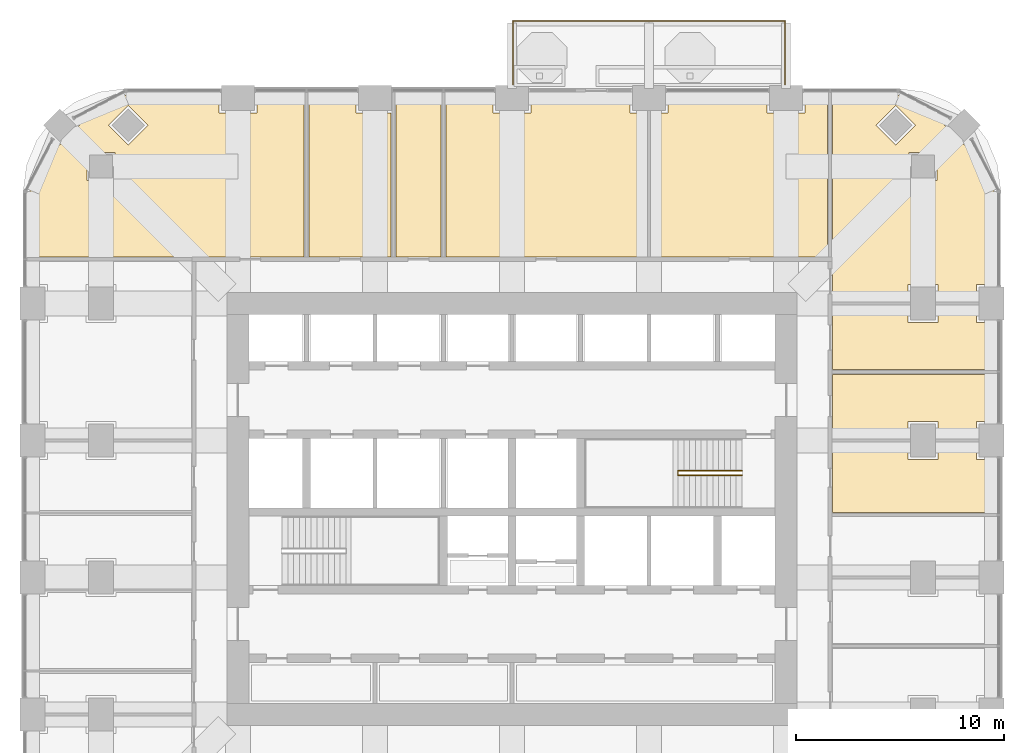
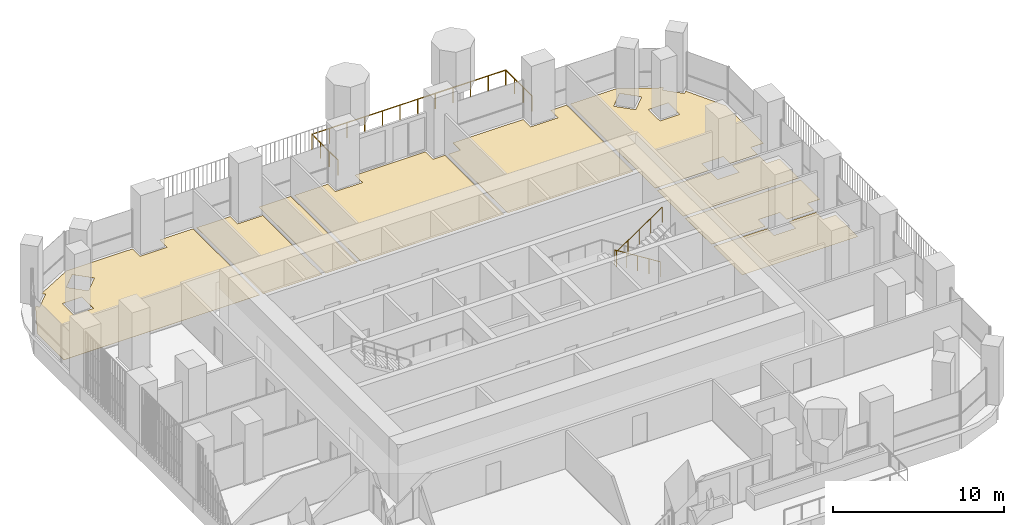
# One storey, part 19 of 20: 9 coverings, 2 railings.
"""IFC4 building model written with IfcOpenShell, lengths in metres."""

from ifc_helpers import new_model, si_unit, direction, frame, origin, place, context, subcontext, project, spatial, polyline, outline, extrude, material, layer, layer_set, type_object, element, save


model = new_model("IFC4")

# Units and contexts
model_context = context("Model", 3, precision=1e-05, world=origin(), true_north=direction((0.0, 1.0)))
body_context = subcontext(model_context, "Body", "Model", "MODEL_VIEW")
ifc_project = project(units=[si_unit("LENGTHUNIT", "METRE"), si_unit("AREAUNIT", "SQUARE_METRE"), si_unit("VOLUMEUNIT", "CUBIC_METRE"), si_unit("PLANEANGLEUNIT", "RADIAN"), si_unit("MASSUNIT", "GRAM", prefix="KILO")], contexts=[model_context])

# Site, building, storey
site_placement = place(None, origin())
site = spatial("IfcSite", under=ifc_project, at=site_placement, CompositionType="ELEMENT")
building_placement = place(site_placement, origin())
building = spatial("IfcBuilding", under=site, at=building_placement, Name="Cobogo Forest Laboratory Tower", CompositionType="ELEMENT")
storey_placement = place(building_placement, frame((0.0, 0.0, 180.89990234375)))
storey = spatial("IfcBuildingStorey", under=building, at=storey_placement, Name="L41", CompositionType="ELEMENT", Elevation=180.89990234375)

# Railing
ifc_material_1 = material(Name="Laminated glass balustrade", Category="glass")
railing_type_1 = type_object("IfcRailingType", Name="BG1 glass balustrade 1100", PredefinedType="GUARDRAIL", material=ifc_material_1)
railing_1_placement = place(storey_placement, frame((26.449951171875, 43.550048828125, 0.0)))
element("IfcRailing", 1, at=railing_1_placement, inside=storey, type_object=railing_type_1, Name="Balcony balustrade BAL-N1 L41", PredefinedType="GUARDRAIL", context=body_context, shape_type="SweptSolid", body=[
    extrude(outline(polyline([(0.022216796875, 0.00927734375), (0.00927734375, 0.022216796875), (-0.00927734375, 0.022216796875), (-0.022216796875, 0.00927734375), (-0.022216796875, -0.00927734375), (-0.00927734375, -0.022216796875), (0.00927734375, -0.022216796875), (0.022216796875, -0.00927734375), (0.022216796875, 0.00927734375)])), frame((0.0, 0.0, 1.077880859375), z_axis=(0.0, 1.0, 0.0), x_axis=(-1.0, 0.0, 0.0)), (0.0, 0.0, 1.0), 3.050048828125),
    extrude(outline(polyline([(0.022216796875, 0.00927734375), (0.00927734375, 0.022216796875), (-0.00927734375, 0.022216796875), (-0.022216796875, 0.00927734375), (-0.022216796875, -0.00927734375), (-0.00927734375, -0.022216796875), (0.00927734375, -0.022216796875), (0.022216796875, -0.00927734375), (0.022216796875, 0.00927734375)])), frame((0.0, 3.050048828125, 1.077880859375), z_axis=(1.0, 0.0, 0.0), x_axis=(0.0, 1.0, 0.0)), (0.0, 0.0, 1.0), 13.10009765625),
    extrude(outline(polyline([(0.022216796875, 0.00927734375), (0.00927734375, 0.022216796875), (-0.00927734375, 0.022216796875), (-0.022216796875, 0.00927734375), (-0.022216796875, -0.00927734375), (-0.00927734375, -0.022216796875), (0.00927734375, -0.022216796875), (0.022216796875, -0.00927734375), (0.022216796875, 0.00927734375)])), frame((13.10009765625, 3.050048828125, 1.077880859375), z_axis=(0.0, -1.0, 0.0), x_axis=(1.0, 0.0, 0.0)), (0.0, 0.0, 1.0), 3.050048828125),
    extrude(outline(polyline([(0.019287109375, 0.008056640625), (0.008056640625, 0.019287109375), (-0.008056640625, 0.019287109375), (-0.019287109375, 0.008056640625), (-0.019287109375, -0.008056640625), (-0.008056640625, -0.019287109375), (0.008056640625, -0.019287109375), (0.019287109375, -0.008056640625), (0.019287109375, 0.008056640625)])), origin(), (0.0, 0.0, 1.0), 1.077880859375),
    extrude(outline(polyline([(0.019287109375, 0.008056640625), (0.008056640625, 0.019287109375), (-0.008056640625, 0.019287109375), (-0.019287109375, 0.008056640625), (-0.019287109375, -0.008056640625), (-0.008056640625, -0.019287109375), (0.008056640625, -0.019287109375), (0.019287109375, -0.008056640625), (0.019287109375, 0.008056640625)])), frame((0.0, 1.0166015625, 0.0)), (0.0, 0.0, 1.0), 1.077880859375),
    extrude(outline(polyline([(0.019287109375, 0.008056640625), (0.008056640625, 0.019287109375), (-0.008056640625, 0.019287109375), (-0.019287109375, 0.008056640625), (-0.019287109375, -0.008056640625), (-0.008056640625, -0.019287109375), (0.008056640625, -0.019287109375), (0.019287109375, -0.008056640625), (0.019287109375, 0.008056640625)])), frame((0.0, 2.033447265625, 0.0)), (0.0, 0.0, 1.0), 1.077880859375),
    extrude(outline(polyline([(0.019287109375, 0.008056640625), (0.008056640625, 0.019287109375), (-0.008056640625, 0.019287109375), (-0.019287109375, 0.008056640625), (-0.019287109375, -0.008056640625), (-0.008056640625, -0.019287109375), (0.008056640625, -0.019287109375), (0.019287109375, -0.008056640625), (0.019287109375, 0.008056640625)])), frame((0.0, 3.050048828125, 0.0)), (0.0, 0.0, 1.0), 1.077880859375),
    extrude(outline(polyline([(0.019287109375, 0.008056640625), (0.008056640625, 0.019287109375), (-0.008056640625, 0.019287109375), (-0.019287109375, 0.008056640625), (-0.019287109375, -0.008056640625), (-0.008056640625, -0.019287109375), (0.008056640625, -0.019287109375), (0.019287109375, -0.008056640625), (0.019287109375, 0.008056640625)])), frame((1.19091796875, 3.050048828125, 0.0)), (0.0, 0.0, 1.0), 1.077880859375),
    extrude(outline(polyline([(0.019287109375, 0.008056640625), (0.008056640625, 0.019287109375), (-0.008056640625, 0.019287109375), (-0.019287109375, 0.008056640625), (-0.019287109375, -0.008056640625), (-0.008056640625, -0.019287109375), (0.008056640625, -0.019287109375), (0.019287109375, -0.008056640625), (0.019287109375, 0.008056640625)])), frame((2.3818359375, 3.050048828125, 0.0)), (0.0, 0.0, 1.0), 1.077880859375),
    extrude(outline(polyline([(0.019287109375, 0.008056640625), (0.008056640625, 0.019287109375), (-0.008056640625, 0.019287109375), (-0.019287109375, 0.008056640625), (-0.019287109375, -0.008056640625), (-0.008056640625, -0.019287109375), (0.008056640625, -0.019287109375), (0.019287109375, -0.008056640625), (0.019287109375, 0.008056640625)])), frame((3.57275390625, 3.050048828125, 0.0)), (0.0, 0.0, 1.0), 1.077880859375),
    extrude(outline(polyline([(0.019287109375, 0.008056640625), (0.008056640625, 0.019287109375), (-0.008056640625, 0.019287109375), (-0.019287109375, 0.008056640625), (-0.019287109375, -0.008056640625), (-0.008056640625, -0.019287109375), (0.008056640625, -0.019287109375), (0.019287109375, -0.008056640625), (0.019287109375, 0.008056640625)])), frame((4.763671875, 3.050048828125, 0.0)), (0.0, 0.0, 1.0), 1.077880859375),
    extrude(outline(polyline([(0.019287109375, 0.008056640625), (0.008056640625, 0.019287109375), (-0.008056640625, 0.019287109375), (-0.019287109375, 0.008056640625), (-0.019287109375, -0.008056640625), (-0.008056640625, -0.019287109375), (0.008056640625, -0.019287109375), (0.019287109375, -0.008056640625), (0.019287109375, 0.008056640625)])), frame((5.95458984375, 3.050048828125, 0.0)), (0.0, 0.0, 1.0), 1.077880859375),
    extrude(outline(polyline([(0.019287109375, 0.008056640625), (0.008056640625, 0.019287109375), (-0.008056640625, 0.019287109375), (-0.019287109375, 0.008056640625), (-0.019287109375, -0.008056640625), (-0.008056640625, -0.019287109375), (0.008056640625, -0.019287109375), (0.019287109375, -0.008056640625), (0.019287109375, 0.008056640625)])), frame((7.1455078125, 3.050048828125, 0.0)), (0.0, 0.0, 1.0), 1.077880859375),
    extrude(outline(polyline([(0.019287109375, 0.008056640625), (0.008056640625, 0.019287109375), (-0.008056640625, 0.019287109375), (-0.019287109375, 0.008056640625), (-0.019287109375, -0.008056640625), (-0.008056640625, -0.019287109375), (0.008056640625, -0.019287109375), (0.019287109375, -0.008056640625), (0.019287109375, 0.008056640625)])), frame((8.33642578125, 3.050048828125, 0.0)), (0.0, 0.0, 1.0), 1.077880859375),
    extrude(outline(polyline([(0.019287109375, 0.008056640625), (0.008056640625, 0.019287109375), (-0.008056640625, 0.019287109375), (-0.019287109375, 0.008056640625), (-0.019287109375, -0.008056640625), (-0.008056640625, -0.019287109375), (0.008056640625, -0.019287109375), (0.019287109375, -0.008056640625), (0.019287109375, 0.008056640625)])), frame((9.52734375, 3.050048828125, 0.0)), (0.0, 0.0, 1.0), 1.077880859375),
    extrude(outline(polyline([(0.019287109375, 0.008056640625), (0.008056640625, 0.019287109375), (-0.008056640625, 0.019287109375), (-0.019287109375, 0.008056640625), (-0.019287109375, -0.008056640625), (-0.008056640625, -0.019287109375), (0.008056640625, -0.019287109375), (0.019287109375, -0.008056640625), (0.019287109375, 0.008056640625)])), frame((10.71826171875, 3.050048828125, 0.0)), (0.0, 0.0, 1.0), 1.077880859375),
    extrude(outline(polyline([(0.019287109375, 0.008056640625), (0.008056640625, 0.019287109375), (-0.008056640625, 0.019287109375), (-0.019287109375, 0.008056640625), (-0.019287109375, -0.008056640625), (-0.008056640625, -0.019287109375), (0.008056640625, -0.019287109375), (0.019287109375, -0.008056640625), (0.019287109375, 0.008056640625)])), frame((11.9091796875, 3.050048828125, 0.0)), (0.0, 0.0, 1.0), 1.077880859375),
    extrude(outline(polyline([(0.019287109375, 0.008056640625), (0.008056640625, 0.019287109375), (-0.008056640625, 0.019287109375), (-0.019287109375, 0.008056640625), (-0.019287109375, -0.008056640625), (-0.008056640625, -0.019287109375), (0.008056640625, -0.019287109375), (0.019287109375, -0.008056640625), (0.019287109375, 0.008056640625)])), frame((13.10009765625, 3.050048828125, 0.0)), (0.0, 0.0, 1.0), 1.077880859375),
    extrude(outline(polyline([(0.019287109375, 0.008056640625), (0.008056640625, 0.019287109375), (-0.008056640625, 0.019287109375), (-0.019287109375, 0.008056640625), (-0.019287109375, -0.008056640625), (-0.008056640625, -0.019287109375), (0.008056640625, -0.019287109375), (0.019287109375, -0.008056640625), (0.019287109375, 0.008056640625)])), frame((13.10009765625, 2.033447265625, 0.0)), (0.0, 0.0, 1.0), 1.077880859375),
    extrude(outline(polyline([(0.019287109375, 0.008056640625), (0.008056640625, 0.019287109375), (-0.008056640625, 0.019287109375), (-0.019287109375, 0.008056640625), (-0.019287109375, -0.008056640625), (-0.008056640625, -0.019287109375), (0.008056640625, -0.019287109375), (0.019287109375, -0.008056640625), (0.019287109375, 0.008056640625)])), frame((13.10009765625, 1.0166015625, 0.0)), (0.0, 0.0, 1.0), 1.077880859375),
    extrude(outline(polyline([(0.019287109375, 0.008056640625), (0.008056640625, 0.019287109375), (-0.008056640625, 0.019287109375), (-0.019287109375, 0.008056640625), (-0.019287109375, -0.008056640625), (-0.008056640625, -0.019287109375), (0.008056640625, -0.019287109375), (0.019287109375, -0.008056640625), (0.019287109375, 0.008056640625)])), frame((13.10009765625, 0.0, 0.0)), (0.0, 0.0, 1.0), 1.077880859375),
])

# Coverings
ifc_material_2 = material(Name="Carpet tile on raised access floor", Category="flooring")
ifc_layer_1 = layer(ifc_material_2, 0.008056640625)
ifc_layer_set_1 = layer_set([ifc_layer_1], Name="CT1 carpet tile floor 8")
covering_type_1 = type_object("IfcCoveringType", Name="CT1 carpet tile floor 8", PredefinedType="FLOORING", material=ifc_layer_set_1)
covering_1_placement = place(storey_placement, origin())
element("IfcCovering", 2, at=covering_1_placement, inside=storey, type_object=covering_type_1, Name="Carpet floor L41-10", PredefinedType="FLOORING", context=body_context, shape_type="SweptSolid", body=[
    extrude(outline(polyline([(41.844970703125, 29.580078125), (49.64990234375, 29.580078125), (49.64990234375, 27.320068359375), (48.780029296875, 27.320068359375), (48.780029296875, 26.52001953125), (46.919921875, 26.52001953125), (46.919921875, 27.320068359375), (45.47998046875, 27.320068359375), (45.47998046875, 26.52001953125), (41.844970703125, 26.52001953125), (41.844970703125, 29.580078125)])), origin(), (0.0, 0.0, 1.0), 0.008056640625),
])
covering_2_placement = place(storey_placement, origin())
element("IfcCovering", 3, at=covering_2_placement, inside=storey, type_object=covering_type_1, Name="Carpet floor L41-13", PredefinedType="FLOORING", context=body_context, shape_type="SweptSolid", body=[
    extrude(outline(polyline([(3.14990234375, 35.2451171875), (3.14990234375, 38.350830078125), (4.440185546875, 40.812255859375), (4.617919921875, 40.634521484375), (5.5654296875, 41.58203125), (5.387939453125, 41.759765625), (7.84912109375, 43.050048828125), (12.280029296875, 43.050048828125), (12.280029296875, 42.179931640625), (14.1201171875, 42.179931640625), (14.1201171875, 43.050048828125), (16.3798828125, 43.050048828125), (16.3798828125, 35.2451171875), (3.14990234375, 35.2451171875)]), holes=[polyline([(7.91796875, 40.634521484375), (8.865478515625, 41.58203125), (7.91796875, 42.529541015625), (6.970458984375, 41.58203125), (7.91796875, 40.634521484375)]), polyline([(5.929931640625, 38.929931640625), (7.27001953125, 38.929931640625), (7.27001953125, 40.27001953125), (5.929931640625, 40.27001953125), (5.929931640625, 38.929931640625)])]), origin(), (0.0, 0.0, 1.0), 0.008056640625),
])
covering_3_placement = place(storey_placement, origin())
element("IfcCovering", 4, at=covering_3_placement, inside=storey, type_object=covering_type_1, Name="Carpet floor L41-14", PredefinedType="FLOORING", context=body_context, shape_type="SweptSolid", body=[
    extrude(outline(polyline([(16.6201171875, 35.2451171875), (16.6201171875, 43.050048828125), (18.8798828125, 43.050048828125), (18.8798828125, 42.179931640625), (20.580078125, 42.179931640625), (20.580078125, 35.2451171875), (16.6201171875, 35.2451171875)])), origin(), (0.0, 0.0, 1.0), 0.008056640625),
])
covering_4_placement = place(storey_placement, origin())
element("IfcCovering", 5, at=covering_4_placement, inside=storey, type_object=covering_type_1, Name="Carpet floor L41-16", PredefinedType="FLOORING", context=body_context, shape_type="SweptSolid", body=[
    extrude(outline(polyline([(23.219970703125, 35.2451171875), (23.219970703125, 43.050048828125), (25.47998046875, 43.050048828125), (25.47998046875, 42.179931640625), (27.320068359375, 42.179931640625), (27.320068359375, 43.050048828125), (32.080078125, 43.050048828125), (32.080078125, 42.179931640625), (32.8798828125, 42.179931640625), (32.8798828125, 35.2451171875), (23.219970703125, 35.2451171875)])), origin(), (0.0, 0.0, 1.0), 0.008056640625),
])
covering_5_placement = place(storey_placement, origin())
element("IfcCovering", 6, at=covering_5_placement, inside=storey, type_object=covering_type_1, Name="Carpet floor L41-17", PredefinedType="FLOORING", context=body_context, shape_type="SweptSolid", body=[
    extrude(outline(polyline([(33.1201171875, 35.2451171875), (33.1201171875, 42.179931640625), (33.919921875, 42.179931640625), (33.919921875, 43.050048828125), (38.679931640625, 43.050048828125), (38.679931640625, 42.179931640625), (40.52001953125, 42.179931640625), (40.52001953125, 43.050048828125), (41.60498046875, 43.050048828125), (41.60498046875, 35.2451171875), (33.1201171875, 35.2451171875)])), origin(), (0.0, 0.0, 1.0), 0.008056640625),
])

# Railing
ifc_material_3 = material(Name="Steel balustrade", Category="steel")
railing_type_2 = type_object("IfcRailingType", Name="GR stair guard 1100", PredefinedType="GUARDRAIL", material=ifc_material_3)
railing_2_placement = place(storey_placement, frame((37.47509765625, 24.929931640625, 0.175048828125)))
element("IfcRailing", 7, at=railing_2_placement, inside=storey, type_object=railing_type_2, Name="Stair guard ST2 L41", PredefinedType="GUARDRAIL", context=body_context, shape_type="SweptSolid", body=[
    extrude(outline(polyline([(0.022216796875, 0.00927734375), (0.00927734375, 0.022216796875), (-0.00927734375, 0.022216796875), (-0.022216796875, 0.00927734375), (-0.022216796875, -0.00927734375), (-0.00927734375, -0.022216796875), (0.00927734375, -0.022216796875), (0.022216796875, -0.00927734375), (0.022216796875, 0.00927734375)])), frame((0.0, 0.0, 1.077880859375), z_axis=(-0.847998304005, 0.0, 0.529998940003), x_axis=(0.0, -1.0, 0.0)), (0.0, 0.0, 1.0), 3.632080078125),
    extrude(outline(polyline([(0.022216796875, 0.00927734375), (0.00927734375, 0.022216796875), (-0.00927734375, 0.022216796875), (-0.022216796875, 0.00927734375), (-0.022216796875, -0.00927734375), (-0.00927734375, -0.022216796875), (0.00927734375, -0.022216796875), (0.022216796875, -0.00927734375), (0.022216796875, 0.00927734375)])), frame((-3.080078125, 0.0, 3.0029296875), z_axis=(0.0, -1.0, 0.0), x_axis=(1.0, 0.0, 0.0)), (0.0, 0.0, 1.0), 0.2099609375),
    extrude(outline(polyline([(0.022216796875, 0.00927734375), (0.00927734375, 0.022216796875), (-0.00927734375, 0.022216796875), (-0.022216796875, 0.00927734375), (-0.022216796875, -0.00927734375), (-0.00927734375, -0.022216796875), (0.00927734375, -0.022216796875), (0.022216796875, -0.00927734375), (0.022216796875, 0.00927734375)])), frame((-3.080078125, -0.2099609375, 3.0029296875), z_axis=(0.826221800596, 0.0, 0.563344953133), x_axis=(0.0, 1.0, 0.0)), (0.0, 0.0, 1.0), 3.72802734375),
    extrude(outline(polyline([(0.019287109375, 0.008056640625), (0.008056640625, 0.019287109375), (-0.008056640625, 0.019287109375), (-0.019287109375, 0.008056640625), (-0.019287109375, -0.008056640625), (-0.008056640625, -0.019287109375), (0.008056640625, -0.019287109375), (0.019287109375, -0.008056640625), (0.019287109375, 0.008056640625)])), origin(), (0.0, 0.0, 1.0), 1.077880859375),
    extrude(outline(polyline([(0.019287109375, 0.008056640625), (0.008056640625, 0.019287109375), (-0.008056640625, 0.019287109375), (-0.019287109375, 0.008056640625), (-0.019287109375, -0.008056640625), (-0.008056640625, -0.019287109375), (0.008056640625, -0.019287109375), (0.019287109375, -0.008056640625), (0.019287109375, 0.008056640625)])), frame((-0.77001953125, 0.0, 0.481201171875)), (0.0, 0.0, 1.0), 1.077880859375),
    extrude(outline(polyline([(0.019287109375, 0.008056640625), (0.008056640625, 0.019287109375), (-0.008056640625, 0.019287109375), (-0.019287109375, 0.008056640625), (-0.019287109375, -0.008056640625), (-0.008056640625, -0.019287109375), (0.008056640625, -0.019287109375), (0.019287109375, -0.008056640625), (0.019287109375, 0.008056640625)])), frame((-1.5400390625, 0.0, 0.96240234375)), (0.0, 0.0, 1.0), 1.077880859375),
    extrude(outline(polyline([(0.019287109375, 0.008056640625), (0.008056640625, 0.019287109375), (-0.008056640625, 0.019287109375), (-0.019287109375, 0.008056640625), (-0.019287109375, -0.008056640625), (-0.008056640625, -0.019287109375), (0.008056640625, -0.019287109375), (0.019287109375, -0.008056640625), (0.019287109375, 0.008056640625)])), frame((-2.31005859375, 0.0, 1.44384765625)), (0.0, 0.0, 1.0), 1.077880859375),
    extrude(outline(polyline([(0.019287109375, 0.008056640625), (0.008056640625, 0.019287109375), (-0.008056640625, 0.019287109375), (-0.019287109375, 0.008056640625), (-0.019287109375, -0.008056640625), (-0.008056640625, -0.019287109375), (0.008056640625, -0.019287109375), (0.019287109375, -0.008056640625), (0.019287109375, 0.008056640625)])), frame((-3.080078125, 0.0, 1.925048828125)), (0.0, 0.0, 1.0), 1.077880859375),
    extrude(outline(polyline([(0.019287109375, 0.008056640625), (0.008056640625, 0.019287109375), (-0.008056640625, 0.019287109375), (-0.019287109375, 0.008056640625), (-0.019287109375, -0.008056640625), (-0.008056640625, -0.019287109375), (0.008056640625, -0.019287109375), (0.019287109375, -0.008056640625), (0.019287109375, 0.008056640625)])), frame((-3.080078125, -0.2099609375, 1.925048828125)), (0.0, 0.0, 1.0), 1.077880859375),
    extrude(outline(polyline([(0.019287109375, 0.008056640625), (0.008056640625, 0.019287109375), (-0.008056640625, 0.019287109375), (-0.019287109375, 0.008056640625), (-0.019287109375, -0.008056640625), (-0.008056640625, -0.019287109375), (0.008056640625, -0.019287109375), (0.019287109375, -0.008056640625), (0.019287109375, 0.008056640625)])), frame((-2.31005859375, -0.2099609375, 2.4501953125)), (0.0, 0.0, 1.0), 1.077880859375),
    extrude(outline(polyline([(0.019287109375, 0.008056640625), (0.008056640625, 0.019287109375), (-0.008056640625, 0.019287109375), (-0.019287109375, 0.008056640625), (-0.019287109375, -0.008056640625), (-0.008056640625, -0.019287109375), (0.008056640625, -0.019287109375), (0.019287109375, -0.008056640625), (0.019287109375, 0.008056640625)])), frame((-1.5400390625, -0.2099609375, 2.97509765625)), (0.0, 0.0, 1.0), 1.077880859375),
    extrude(outline(polyline([(0.019287109375, 0.008056640625), (0.008056640625, 0.019287109375), (-0.008056640625, 0.019287109375), (-0.019287109375, 0.008056640625), (-0.019287109375, -0.008056640625), (-0.008056640625, -0.019287109375), (0.008056640625, -0.019287109375), (0.019287109375, -0.008056640625), (0.019287109375, 0.008056640625)])), frame((-0.77001953125, -0.2099609375, 3.5)), (0.0, 0.0, 1.0), 1.077880859375),
    extrude(outline(polyline([(0.019287109375, 0.008056640625), (0.008056640625, 0.019287109375), (-0.008056640625, 0.019287109375), (-0.019287109375, 0.008056640625), (-0.019287109375, -0.008056640625), (-0.008056640625, -0.019287109375), (0.008056640625, -0.019287109375), (0.019287109375, -0.008056640625), (0.019287109375, 0.008056640625)])), frame((0.0, -0.2099609375, 4.025146484375)), (0.0, 0.0, 1.0), 1.077880859375),
])

# Coverings
ifc_material_4 = material(Name="Static-dissipative vinyl flooring", Category="flooring")
ifc_layer_2 = layer(ifc_material_4, 0.0029296875)
ifc_layer_set_2 = layer_set([ifc_layer_2], Name="SD1 static-dissipative vinyl floor 3")
covering_type_2 = type_object("IfcCoveringType", Name="SD1 static-dissipative vinyl floor 3", PredefinedType="FLOORING", material=ifc_layer_set_2)
covering_6_placement = place(storey_placement, origin())
element("IfcCovering", 8, at=covering_6_placement, inside=storey, type_object=covering_type_2, Name="Static-dissipative floor L41-09", PredefinedType="FLOORING", context=body_context, shape_type="SweptSolid", body=[
    extrude(outline(polyline([(41.844970703125, 26.280029296875), (45.47998046875, 26.280029296875), (45.47998046875, 25.47998046875), (46.919921875, 25.47998046875), (46.919921875, 26.280029296875), (48.780029296875, 26.280029296875), (48.780029296875, 25.47998046875), (49.64990234375, 25.47998046875), (49.64990234375, 22.919921875), (41.844970703125, 22.919921875), (41.844970703125, 26.280029296875)])), origin(), (0.0, 0.0, 1.0), 0.003173828125),
])
covering_7_placement = place(storey_placement, origin())
element("IfcCovering", 9, at=covering_7_placement, inside=storey, type_object=covering_type_2, Name="Static-dissipative floor L41-11", PredefinedType="FLOORING", context=body_context, shape_type="SweptSolid", body=[
    extrude(outline(polyline([(41.844970703125, 32.8798828125), (45.47998046875, 32.8798828125), (45.47998046875, 32.080078125), (46.919921875, 32.080078125), (46.919921875, 32.8798828125), (48.780029296875, 32.8798828125), (48.780029296875, 32.080078125), (49.64990234375, 32.080078125), (49.64990234375, 29.820068359375), (41.844970703125, 29.820068359375), (41.844970703125, 32.8798828125)])), origin(), (0.0, 0.0, 1.0), 0.003173828125),
])
covering_8_placement = place(storey_placement, origin())
element("IfcCovering", 10, at=covering_8_placement, inside=storey, type_object=covering_type_2, Name="Static-dissipative floor L41-12", PredefinedType="FLOORING", context=body_context, shape_type="SweptSolid", body=[
    extrude(outline(polyline([(41.844970703125, 43.050048828125), (44.95068359375, 43.050048828125), (47.412109375, 41.759765625), (47.234375, 41.58203125), (48.181884765625, 40.634521484375), (48.359619140625, 40.812255859375), (49.64990234375, 38.350830078125), (49.64990234375, 33.919921875), (48.780029296875, 33.919921875), (48.780029296875, 33.1201171875), (46.919921875, 33.1201171875), (46.919921875, 33.919921875), (45.47998046875, 33.919921875), (45.47998046875, 33.1201171875), (41.844970703125, 33.1201171875), (41.844970703125, 43.050048828125)]), holes=[polyline([(45.530029296875, 40.27001953125), (45.530029296875, 38.929931640625), (46.8701171875, 38.929931640625), (46.8701171875, 40.27001953125), (45.530029296875, 40.27001953125)]), polyline([(44.882080078125, 40.634521484375), (45.82958984375, 41.58203125), (44.882080078125, 42.529541015625), (43.9345703125, 41.58203125), (44.882080078125, 40.634521484375)])]), origin(), (0.0, 0.0, 1.0), 0.003173828125),
])
ifc_material_5 = material(Name="Ceramic floor tile", Category="flooring")
ifc_layer_3 = layer(ifc_material_5, 0.010009765625)
ifc_layer_set_3 = layer_set([ifc_layer_3], Name="TF1 ceramic tile floor 10")
covering_type_3 = type_object("IfcCoveringType", Name="TF1 ceramic tile floor 10", PredefinedType="FLOORING", material=ifc_layer_set_3)
covering_9_placement = place(storey_placement, origin())
element("IfcCovering", 11, at=covering_9_placement, inside=storey, type_object=covering_type_3, Name="Tile floor L41-15", PredefinedType="FLOORING", context=body_context, shape_type="SweptSolid", body=[
    extrude(outline(polyline([(22.97998046875, 35.2451171875), (20.820068359375, 35.2451171875), (20.820068359375, 43.050048828125), (22.97998046875, 43.050048828125), (22.97998046875, 35.2451171875)])), origin(), (0.0, 0.0, 1.0), 0.010009765625),
])

save(model, "model.ifc")
